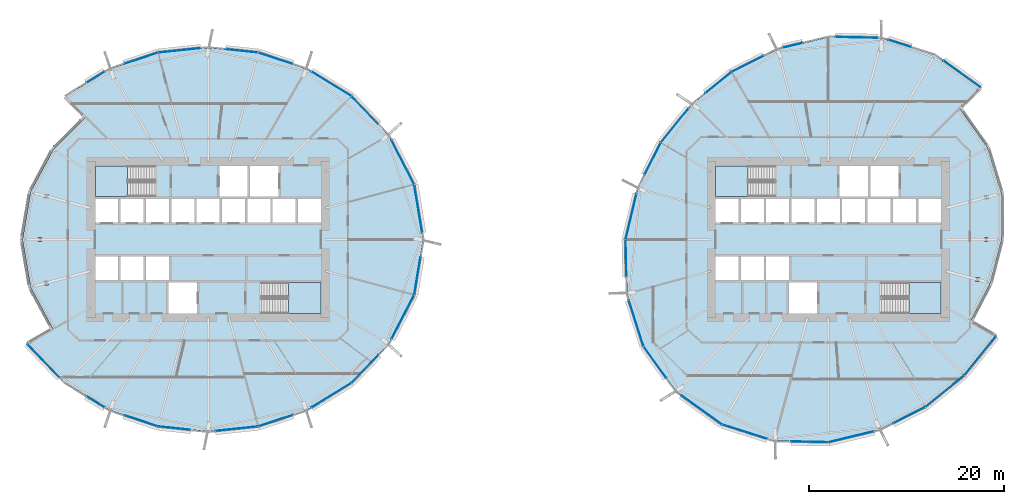
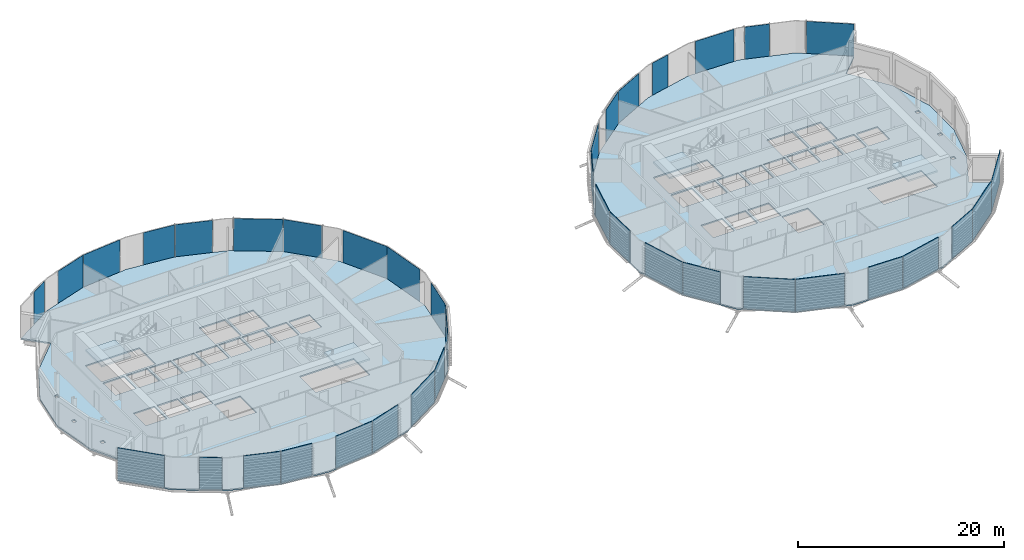
# One storey, part 18 of 36: 38 plates, 6 slabs, 6 elements without a shape of their own.
"""IFC4 building model written with IfcOpenShell, lengths in metres."""

from ifc_helpers import new_model, si_unit, direction, frame, origin, origin_2d, place, context, subcontext, project, spatial, polyline, rectangle, outline, extrude, material, layer, layer_set, type_object, element, aggregate, save


model = new_model("IFC4")

# Units and contexts
model_context = context("Model", 3, precision=1e-05, world=origin(), true_north=direction((0.0, 1.0)))
body_context = subcontext(model_context, "Body", "Model", "MODEL_VIEW")
ifc_project = project(units=[si_unit("LENGTHUNIT", "METRE"), si_unit("AREAUNIT", "SQUARE_METRE"), si_unit("VOLUMEUNIT", "CUBIC_METRE"), si_unit("PLANEANGLEUNIT", "RADIAN"), si_unit("MASSUNIT", "GRAM", prefix="KILO")], contexts=[model_context])

# Site, building, storey
site_placement = place(None, origin())
site = spatial("IfcSite", under=ifc_project, at=site_placement, CompositionType="ELEMENT")
building_placement = place(site_placement, origin())
building = spatial("IfcBuilding", under=site, at=building_placement, Name="Rimbun Link Towers", CompositionType="ELEMENT")
storey_placement = place(building_placement, frame((0.0, 0.0, 33.800048828125)))
storey = spatial("IfcBuildingStorey", under=building, at=storey_placement, Name="L07", CompositionType="ELEMENT", Elevation=33.800048828125)

# Slabs
ifc_material_1 = material(Name="Concrete C35/45", Category="concrete")
ifc_layer_1 = layer(ifc_material_1, 0.159912109375)
ifc_layer_set_1 = layer_set([ifc_layer_1], Name="COMPOSITE FLOOR 160")
slab_type_1 = type_object("IfcSlabType", Name="COMPOSITE FLOOR 160", PredefinedType="FLOOR", material=ifc_layer_set_1)
slab_1_placement = place(storey_placement, frame((0.0, 0.0, -0.16015625)))
element("IfcSlab", 1, at=slab_1_placement, inside=storey, type_object=slab_type_1, Name="Floor slab T1 L07", PredefinedType="FLOOR", context=body_context, shape_type="SweptSolid", body=[
    extrude(outline(polyline([(-41.836181640625, 17.469482421875), (-36.871826171875, 19.11474609375), (-31.75, 19.654296875), (-26.628173828125, 19.11474609375), (-21.663818359375, 17.469482421875), (-17.089111328125, 14.660888671875), (-13.26513671875, 10.672119140625), (-10.666259765625, 5.6494140625), (-9.7373046875, 0.0), (-10.666259765625, -5.6494140625), (-13.26513671875, -10.672119140625), (-17.089111328125, -14.660888671875), (-21.663818359375, -17.469482421875), (-26.628173828125, -19.11474609375), (-31.75, -19.654296875), (-36.871826171875, -19.11474609375), (-41.836181640625, -17.469482421875), (-46.410888671875, -14.660888671875), (-50.23486328125, -10.672119140625), (-47.63671875, -9.172119140625), (-49.935791015625, -4.872802734375), (-50.7626953125, 0.0), (-49.935791015625, 4.872802734375), (-47.63671875, 9.172119140625), (-44.28955078125, 12.53955078125), (-46.410888671875, 14.660888671875), (-41.836181640625, 17.469482421875)]), holes=[polyline([(-48.103759765625, -4.632080078125), (-48.103759765625, -4.238525390625), (-48.502685546875, -4.238525390625), (-48.502685546875, -4.632080078125), (-48.103759765625, -4.632080078125)]), polyline([(-40.95556640625, -4.14990234375), (-40.95556640625, -1.75), (-43.300048828125, -1.75), (-43.300048828125, -4.14990234375), (-40.95556640625, -4.14990234375)]), polyline([(-38.361083984375, -4.14990234375), (-38.361083984375, -1.75), (-40.70556640625, -1.75), (-40.70556640625, -4.14990234375), (-38.361083984375, -4.14990234375)]), polyline([(-38.111083984375, -4.14990234375), (-35.7666015625, -4.14990234375), (-35.7666015625, -1.75), (-38.111083984375, -1.75), (-38.111083984375, -4.14990234375)]), polyline([(-49.14501953125, -0.19677734375), (-48.74609375, -0.19677734375), (-48.74609375, 0.19677734375), (-49.14501953125, 0.19677734375), (-49.14501953125, -0.19677734375)]), polyline([(-40.95556640625, 1.75), (-40.95556640625, 4.14990234375), (-43.300048828125, 4.14990234375), (-43.300048828125, 1.75), (-40.95556640625, 1.75)]), polyline([(-38.361083984375, 1.75), (-38.361083984375, 4.14990234375), (-40.70556640625, 4.14990234375), (-40.70556640625, 1.75), (-38.361083984375, 1.75)]), polyline([(-35.7666015625, 1.75), (-35.7666015625, 4.14990234375), (-38.111083984375, 4.14990234375), (-38.111083984375, 1.75), (-35.7666015625, 1.75)]), polyline([(-48.502685546875, 4.238525390625), (-48.103759765625, 4.238525390625), (-48.103759765625, 4.632080078125), (-48.502685546875, 4.632080078125), (-48.502685546875, 4.238525390625)]), polyline([(-43.300048828125, 4.39990234375), (-37.260009765625, 4.39990234375), (-37.260009765625, 7.550048828125), (-43.300048828125, 7.550048828125), (-43.300048828125, 4.39990234375)]), polyline([(-32.89990234375, -7.550048828125), (-32.89990234375, -4.39990234375), (-35.800048828125, -4.39990234375), (-35.800048828125, -7.550048828125), (-32.89990234375, -7.550048828125)]), polyline([(-20.199951171875, -7.550048828125), (-20.199951171875, -4.39990234375), (-26.239990234375, -4.39990234375), (-26.239990234375, -7.550048828125), (-20.199951171875, -7.550048828125)]), polyline([(-33.172119140625, 1.75), (-33.172119140625, 4.14990234375), (-35.5166015625, 4.14990234375), (-35.5166015625, 1.75), (-33.172119140625, 1.75)]), polyline([(-32.922119140625, 1.75), (-30.577880859375, 1.75), (-30.577880859375, 4.14990234375), (-32.922119140625, 4.14990234375), (-32.922119140625, 1.75)]), polyline([(-30.327880859375, 1.75), (-27.9833984375, 1.75), (-27.9833984375, 4.14990234375), (-30.327880859375, 4.14990234375), (-30.327880859375, 1.75)]), polyline([(-25.388916015625, 1.75), (-25.388916015625, 4.14990234375), (-27.7333984375, 4.14990234375), (-27.7333984375, 1.75), (-25.388916015625, 1.75)]), polyline([(-22.79443359375, 1.75), (-22.79443359375, 4.14990234375), (-25.138916015625, 4.14990234375), (-25.138916015625, 1.75), (-22.79443359375, 1.75)]), polyline([(-20.199951171875, 1.75), (-20.199951171875, 4.14990234375), (-22.54443359375, 4.14990234375), (-22.54443359375, 1.75), (-20.199951171875, 1.75)]), polyline([(-30.60009765625, 4.39990234375), (-27.699951171875, 4.39990234375), (-27.699951171875, 7.550048828125), (-30.60009765625, 7.550048828125), (-30.60009765625, 4.39990234375)]), polyline([(-27.449951171875, 4.39990234375), (-24.550048828125, 4.39990234375), (-24.550048828125, 7.550048828125), (-27.449951171875, 7.550048828125), (-27.449951171875, 4.39990234375)])]), origin(), (0.0, 0.0, 1.0), 0.16015625),
])
slab_2_placement = place(storey_placement, frame((0.0, 0.0, -0.16015625)))
element("IfcSlab", 2, at=slab_2_placement, inside=storey, type_object=slab_type_1, Name="Floor slab T2 L07", PredefinedType="FLOOR", context=body_context, shape_type="SweptSolid", body=[
    extrude(outline(polyline([(45.647705078125, -13.897705078125), (41.64453125, -17.1376953125), (36.970947265625, -19.48486328125), (31.75, -20.7333984375), (26.2255859375, -20.6171875), (20.836181640625, -18.903076171875), (16.184814453125, -15.565185546875), (12.846923828125, -10.913818359375), (11.1328125, -5.5244140625), (11.0166015625, 0.0), (12.26513671875, 5.220947265625), (14.6123046875, 9.89453125), (17.852294921875, 13.897705078125), (21.85546875, 17.1376953125), (26.529052734375, 19.48486328125), (31.75, 20.7333984375), (37.2744140625, 20.6171875), (42.663818359375, 18.903076171875), (47.315185546875, 15.565185546875), (45.194091796875, 13.444091796875), (48.054931640625, 9.413818359375), (49.46923828125, 4.747802734375), (49.4833984375, 0.0), (48.337158203125, -4.444580078125), (46.289794921875, -8.39453125), (48.8876953125, -9.89453125), (45.647705078125, -13.897705078125)]), holes=[polyline([(30.60009765625, -7.550048828125), (30.60009765625, -4.39990234375), (27.699951171875, -4.39990234375), (27.699951171875, -7.550048828125), (30.60009765625, -7.550048828125)]), polyline([(22.54443359375, -4.14990234375), (22.54443359375, -1.75), (20.199951171875, -1.75), (20.199951171875, -4.14990234375), (22.54443359375, -4.14990234375)]), polyline([(25.138916015625, -4.14990234375), (25.138916015625, -1.75), (22.79443359375, -1.75), (22.79443359375, -4.14990234375), (25.138916015625, -4.14990234375)]), polyline([(25.388916015625, -4.14990234375), (27.7333984375, -4.14990234375), (27.7333984375, -1.75), (25.388916015625, -1.75), (25.388916015625, -4.14990234375)]), polyline([(20.199951171875, 1.75), (22.54443359375, 1.75), (22.54443359375, 4.14990234375), (20.199951171875, 4.14990234375), (20.199951171875, 1.75)]), polyline([(25.138916015625, 1.75), (25.138916015625, 4.14990234375), (22.79443359375, 4.14990234375), (22.79443359375, 1.75), (25.138916015625, 1.75)]), polyline([(27.7333984375, 1.75), (27.7333984375, 4.14990234375), (25.388916015625, 4.14990234375), (25.388916015625, 1.75), (27.7333984375, 1.75)]), polyline([(30.327880859375, 1.75), (30.327880859375, 4.14990234375), (27.9833984375, 4.14990234375), (27.9833984375, 1.75), (30.327880859375, 1.75)]), polyline([(30.577880859375, 1.75), (32.922119140625, 1.75), (32.922119140625, 4.14990234375), (30.577880859375, 4.14990234375), (30.577880859375, 1.75)]), polyline([(20.199951171875, 4.39990234375), (26.239990234375, 4.39990234375), (26.239990234375, 7.550048828125), (20.199951171875, 7.550048828125), (20.199951171875, 4.39990234375)]), polyline([(43.300048828125, -7.550048828125), (43.300048828125, -4.39990234375), (37.260009765625, -4.39990234375), (37.260009765625, -7.550048828125), (43.300048828125, -7.550048828125)]), polyline([(47.22412109375, -4.28955078125), (47.22412109375, -3.89599609375), (46.824951171875, -3.89599609375), (46.824951171875, -4.28955078125), (47.22412109375, -4.28955078125)]), polyline([(48.117431640625, -0.19677734375), (48.117431640625, 0.19677734375), (47.718505859375, 0.19677734375), (47.718505859375, -0.19677734375), (48.117431640625, -0.19677734375)]), polyline([(33.172119140625, 1.75), (35.5166015625, 1.75), (35.5166015625, 4.14990234375), (33.172119140625, 4.14990234375), (33.172119140625, 1.75)]), polyline([(35.7666015625, 1.75), (38.111083984375, 1.75), (38.111083984375, 4.14990234375), (35.7666015625, 4.14990234375), (35.7666015625, 1.75)]), polyline([(40.70556640625, 1.75), (40.70556640625, 4.14990234375), (38.361083984375, 4.14990234375), (38.361083984375, 1.75), (40.70556640625, 1.75)]), polyline([(43.300048828125, 1.75), (43.300048828125, 4.14990234375), (40.95556640625, 4.14990234375), (40.95556640625, 1.75), (43.300048828125, 1.75)]), polyline([(48.127685546875, 4.13818359375), (48.127685546875, 4.53173828125), (47.728759765625, 4.53173828125), (47.728759765625, 4.13818359375), (48.127685546875, 4.13818359375)]), polyline([(32.89990234375, 4.39990234375), (35.800048828125, 4.39990234375), (35.800048828125, 7.550048828125), (32.89990234375, 7.550048828125), (32.89990234375, 4.39990234375)]), polyline([(36.050048828125, 4.39990234375), (38.949951171875, 4.39990234375), (38.949951171875, 7.550048828125), (36.050048828125, 7.550048828125), (36.050048828125, 4.39990234375)])]), origin(), (0.0, 0.0, 1.0), 0.16015625),
])

# Curtain wall, plates
ifc_material_2 = material(Name="Aluminium 6063-T6 and low-iron glass", Category="aluminium")
curtain_wall_type = type_object("IfcCurtainWallType", Name="CW1 unitised vision wall", PredefinedType="NOTDEFINED", material=ifc_material_2)
curtain_wall_1_placement = place(storey_placement, origin())
curtain_wall_1 = element("IfcCurtainWall", 3, at=curtain_wall_1_placement, inside=storey, type_object=curtain_wall_type, Name="CW1 L07 T2", PredefinedType="NOTDEFINED")
ifc_material_3 = material(Name="Aluminium cladding, insulated panel", Category="aluminium")
ifc_layer_2 = layer(ifc_material_3, 0.028076171875)
ifc_layer_set_2 = layer_set([ifc_layer_2], Name="CW1 insulated panel Aluminium cladding 28")
plate_type_1 = type_object("IfcPlateType", Name="CW1 insulated panel Aluminium cladding 28", PredefinedType="CURTAIN_PANEL", material=ifc_layer_set_2)
plate_1_placement = place(storey_placement, frame((45.42431640625, 16.939453125, 0.0), z_axis=(0.0, 0.0, 1.0), x_axis=(0.812473502255, -0.58299812018, 0.0)))
plate_1 = element("IfcPlate", 4, at=plate_1_placement, type_object=plate_type_1, Name="CW1 insulated panel", PredefinedType="CURTAIN_PANEL", context=body_context, shape_type="SweptSolid", body=[
    extrude(rectangle(XDim=4.63525390625, YDim=0.028076171875, at=origin_2d()), origin(), (0.0, 0.0, 1.0), 3.800048828125),
])
plate_2_placement = place(storey_placement, frame((39.044189453125, 20.06884765625, 0.0), z_axis=(0.0, 0.0, 1.0), x_axis=(0.952967107147, -0.303073741351, 0.0)))
plate_2 = element("IfcPlate", 5, at=plate_2_placement, type_object=plate_type_1, Name="CW1 insulated panel", PredefinedType="CURTAIN_PANEL", context=body_context, shape_type="SweptSolid", body=[
    extrude(rectangle(XDim=2.46533203125, YDim=0.028076171875, at=origin_2d()), origin(), (0.0, 0.0, 1.0), 3.800048828125),
])

curtain_wall_2_placement = place(storey_placement, origin())
curtain_wall_2 = element("IfcCurtainWall", 6, at=curtain_wall_2_placement, inside=storey, type_object=curtain_wall_type, Name="CW1 L07 T1", PredefinedType="NOTDEFINED")
ifc_material_4 = material(Name="Low-iron glass, laminated low-e unit", Category="glass")
ifc_layer_3 = layer(ifc_material_4, 0.028076171875)
ifc_layer_set_3 = layer_set([ifc_layer_3], Name="CW1 panel Low-iron glass 28")
plate_type_2 = type_object("IfcPlateType", Name="CW1 panel Low-iron glass 28", PredefinedType="CURTAIN_PANEL", material=ifc_layer_set_3)
plate_3_placement = place(storey_placement, frame((-10.244873046875, 3.17236328125, 0.0), z_axis=(0.0, 0.0, 1.0), x_axis=(0.162262978927, -0.986747549108, 0.0)))
plate_3 = element("IfcPlate", 7, at=plate_3_placement, type_object=plate_type_2, Name="CW1 panel", PredefinedType="CURTAIN_PANEL", context=body_context, shape_type="SweptSolid", body=[
    extrude(rectangle(XDim=4.9853515625, YDim=0.028076171875, at=origin_2d()), origin(), (0.0, 0.0, 1.0), 3.800048828125),
])
plate_4_placement = place(storey_placement, frame((-11.826904296875, 7.923095703125, 0.0), z_axis=(0.0, 0.0, 1.0), x_axis=(0.459548466118, -0.888152693678, 0.0)))
plate_4 = element("IfcPlate", 8, at=plate_4_placement, type_object=plate_type_2, Name="CW1 panel", PredefinedType="CURTAIN_PANEL", context=body_context, shape_type="SweptSolid", body=[
    extrude(rectangle(XDim=5.0654296875, YDim=0.028076171875, at=origin_2d()), origin(), (0.0, 0.0, 1.0), 3.800048828125),
])
plate_5_placement = place(storey_placement, frame((-15.703369140625, 13.235595703125, 0.0), z_axis=(0.0, 0.0, 1.0), x_axis=(0.692055501744, -0.721844292424, 0.0)))
plate_5 = element("IfcPlate", 9, at=plate_5_placement, type_object=plate_type_2, Name="CW1 panel", PredefinedType="CURTAIN_PANEL", context=body_context, shape_type="SweptSolid", body=[
    extrude(rectangle(XDim=3.935546875, YDim=0.028076171875, at=origin_2d()), origin(), (0.0, 0.0, 1.0), 3.800048828125),
])
plate_6_placement = place(storey_placement, frame((-19.134765625, 15.933349609375, 0.0), z_axis=(0.0, 0.0, 1.0), x_axis=(0.85219002421, -0.523232417417, 0.0)))
plate_6 = element("IfcPlate", 10, at=plate_6_placement, type_object=plate_type_2, Name="CW1 panel", PredefinedType="CURTAIN_PANEL", context=body_context, shape_type="SweptSolid", body=[
    extrude(rectangle(XDim=4.778076171875, YDim=0.028076171875, at=origin_2d()), origin(), (0.0, 0.0, 1.0), 3.800048828125),
])
plate_7_placement = place(storey_placement, frame((-24.853515625, 18.541259765625, 0.0), z_axis=(0.0, 0.0, 1.0), x_axis=(0.949236355837, -0.314563730837, 0.0)))
plate_7 = element("IfcPlate", 11, at=plate_7_placement, type_object=plate_type_2, Name="CW1 panel", PredefinedType="CURTAIN_PANEL", context=body_context, shape_type="SweptSolid", body=[
    extrude(rectangle(XDim=3.689697265625, YDim=0.028076171875, at=origin_2d()), origin(), (0.0, 0.0, 1.0), 3.800048828125),
])
plate_8_placement = place(storey_placement, frame((-28.29248046875, 19.30419921875, 0.0), z_axis=(0.0, 0.0, 1.0), x_axis=(0.994498109267, -0.104754525743, 0.0)))
plate_8 = element("IfcPlate", 12, at=plate_8_placement, type_object=plate_type_2, Name="CW1 panel", PredefinedType="CURTAIN_PANEL", context=body_context, shape_type="SweptSolid", body=[
    extrude(rectangle(XDim=3.31005859375, YDim=0.028076171875, at=origin_2d()), origin(), (0.0, 0.0, 1.0), 3.800048828125),
])
plate_9_placement = place(storey_placement, frame((-34.685302734375, 19.359130859375, 0.0), z_axis=(0.0, 0.0, 1.0), x_axis=(0.994498109267, 0.104754525743, 0.0)))
plate_9 = element("IfcPlate", 13, at=plate_9_placement, type_object=plate_type_2, Name="CW1 panel", PredefinedType="CURTAIN_PANEL", context=body_context, shape_type="SweptSolid", body=[
    extrude(rectangle(XDim=4.360107421875, YDim=0.028076171875, at=origin_2d()), origin(), (0.0, 0.0, 1.0), 3.800048828125),
])
plate_10_placement = place(storey_placement, frame((-38.622802734375, 18.54931640625, 0.0), z_axis=(0.0, 0.0, 1.0), x_axis=(0.949236355837, 0.314563730837, 0.0)))
plate_10 = element("IfcPlate", 14, at=plate_10_placement, type_object=plate_type_2, Name="CW1 panel", PredefinedType="CURTAIN_PANEL", context=body_context, shape_type="SweptSolid", body=[
    extrude(rectangle(XDim=3.639892578125, YDim=0.028076171875, at=origin_2d()), origin(), (0.0, 0.0, 1.0), 3.800048828125),
])
plate_11_placement = place(storey_placement, frame((-43.25732421875, 16.613525390625, 0.0), z_axis=(0.0, 0.0, 1.0), x_axis=(0.85219002421, 0.523232417417, 0.0)))
plate_11 = element("IfcPlate", 15, at=plate_11_placement, type_object=plate_type_2, Name="CW1 panel", PredefinedType="CURTAIN_PANEL", context=body_context, shape_type="SweptSolid", body=[
    extrude(rectangle(XDim=2.17822265625, YDim=0.028076171875, at=origin_2d()), origin(), (0.0, 0.0, 1.0), 3.800048828125),
])
plate_12_placement = place(storey_placement, frame((-48.592529296875, -12.405517578125, 0.0), z_axis=(0.0, 0.0, 1.0), x_axis=(-0.692055501744, 0.721844292424, 0.0)))
plate_12 = element("IfcPlate", 16, at=plate_12_placement, type_object=plate_type_2, Name="CW1 panel", PredefinedType="CURTAIN_PANEL", context=body_context, shape_type="SweptSolid", body=[
    extrude(rectangle(XDim=4.735595703125, YDim=0.028076171875, at=origin_2d()), origin(), (0.0, 0.0, 1.0), 3.800048828125),
])
plate_13_placement = place(storey_placement, frame((-43.25732421875, -16.613525390625, 0.0), z_axis=(0.0, 0.0, 1.0), x_axis=(-0.85219002421, 0.523232417417, 0.0)))
plate_13 = element("IfcPlate", 17, at=plate_13_placement, type_object=plate_type_2, Name="CW1 panel", PredefinedType="CURTAIN_PANEL", context=body_context, shape_type="SweptSolid", body=[
    extrude(rectangle(XDim=2.17822265625, YDim=0.028076171875, at=origin_2d()), origin(), (0.0, 0.0, 1.0), 3.800048828125),
])
plate_14_placement = place(storey_placement, frame((-38.622802734375, -18.54931640625, 0.0), z_axis=(0.0, 0.0, 1.0), x_axis=(-0.949236355837, 0.314563730837, 0.0)))
plate_14 = element("IfcPlate", 18, at=plate_14_placement, type_object=plate_type_2, Name="CW1 panel", PredefinedType="CURTAIN_PANEL", context=body_context, shape_type="SweptSolid", body=[
    extrude(rectangle(XDim=3.639892578125, YDim=0.028076171875, at=origin_2d()), origin(), (0.0, 0.0, 1.0), 3.800048828125),
])
plate_15_placement = place(storey_placement, frame((-35.20751953125, -19.30419921875, 0.0), z_axis=(0.0, 0.0, 1.0), x_axis=(-0.994498109267, 0.104754525743, 0.0)))
plate_15 = element("IfcPlate", 19, at=plate_15_placement, type_object=plate_type_2, Name="CW1 panel", PredefinedType="CURTAIN_PANEL", context=body_context, shape_type="SweptSolid", body=[
    extrude(rectangle(XDim=3.31005859375, YDim=0.028076171875, at=origin_2d()), origin(), (0.0, 0.0, 1.0), 3.800048828125),
])
plate_16_placement = place(storey_placement, frame((-28.814697265625, -19.359130859375, 0.0), z_axis=(0.0, 0.0, 1.0), x_axis=(-0.994498109267, -0.104754525743, 0.0)))
plate_16 = element("IfcPlate", 20, at=plate_16_placement, type_object=plate_type_2, Name="CW1 panel", PredefinedType="CURTAIN_PANEL", context=body_context, shape_type="SweptSolid", body=[
    extrude(rectangle(XDim=4.360107421875, YDim=0.028076171875, at=origin_2d()), origin(), (0.0, 0.0, 1.0), 3.800048828125),
])
plate_17_placement = place(storey_placement, frame((-24.853515625, -18.541259765625, 0.0), z_axis=(0.0, 0.0, 1.0), x_axis=(-0.949236355837, -0.314563730837, 0.0)))
plate_17 = element("IfcPlate", 21, at=plate_17_placement, type_object=plate_type_2, Name="CW1 panel", PredefinedType="CURTAIN_PANEL", context=body_context, shape_type="SweptSolid", body=[
    extrude(rectangle(XDim=3.689697265625, YDim=0.028076171875, at=origin_2d()), origin(), (0.0, 0.0, 1.0), 3.800048828125),
])
plate_18_placement = place(storey_placement, frame((-19.134765625, -15.933349609375, 0.0), z_axis=(0.0, 0.0, 1.0), x_axis=(-0.85219002421, -0.523232417417, 0.0)))
plate_18 = element("IfcPlate", 22, at=plate_18_placement, type_object=plate_type_2, Name="CW1 panel", PredefinedType="CURTAIN_PANEL", context=body_context, shape_type="SweptSolid", body=[
    extrude(rectangle(XDim=4.778076171875, YDim=0.028076171875, at=origin_2d()), origin(), (0.0, 0.0, 1.0), 3.800048828125),
])
plate_19_placement = place(storey_placement, frame((-15.703369140625, -13.235595703125, 0.0), z_axis=(0.0, 0.0, 1.0), x_axis=(-0.692055501744, -0.721844292424, 0.0)))
plate_19 = element("IfcPlate", 23, at=plate_19_placement, type_object=plate_type_2, Name="CW1 panel", PredefinedType="CURTAIN_PANEL", context=body_context, shape_type="SweptSolid", body=[
    extrude(rectangle(XDim=3.935546875, YDim=0.028076171875, at=origin_2d()), origin(), (0.0, 0.0, 1.0), 3.800048828125),
])
plate_20_placement = place(storey_placement, frame((-11.826904296875, -7.923095703125, 0.0), z_axis=(0.0, 0.0, 1.0), x_axis=(-0.459548466118, -0.888152693678, 0.0)))
plate_20 = element("IfcPlate", 24, at=plate_20_placement, type_object=plate_type_2, Name="CW1 panel", PredefinedType="CURTAIN_PANEL", context=body_context, shape_type="SweptSolid", body=[
    extrude(rectangle(XDim=5.0654296875, YDim=0.028076171875, at=origin_2d()), origin(), (0.0, 0.0, 1.0), 3.800048828125),
])
plate_21_placement = place(storey_placement, frame((-10.333984375, -3.715087890625, 0.0), z_axis=(0.0, 0.0, 1.0), x_axis=(-0.162262978927, -0.986747549108, 0.0)))
plate_21 = element("IfcPlate", 25, at=plate_21_placement, type_object=plate_type_2, Name="CW1 panel", PredefinedType="CURTAIN_PANEL", context=body_context, shape_type="SweptSolid", body=[
    extrude(rectangle(XDim=3.88525390625, YDim=0.028076171875, at=origin_2d()), origin(), (0.0, 0.0, 1.0), 3.800048828125),
])
aggregate(curtain_wall_2, [plate_3, plate_4, plate_5, plate_6, plate_7, plate_8, plate_9, plate_10, plate_11, plate_12, plate_13, plate_14, plate_15, plate_16, plate_17, plate_18, plate_19, plate_20, plate_21])

# Plate
plate_22_placement = place(storey_placement, frame((34.662353515625, 20.68603515625, 0.0), z_axis=(0.0, 0.0, 1.0), x_axis=(0.999778089999, -0.021065867113, 0.0)))
plate_22 = element("IfcPlate", 26, at=plate_22_placement, type_object=plate_type_2, Name="CW1 panel", PredefinedType="CURTAIN_PANEL", context=body_context, shape_type="SweptSolid", body=[
    extrude(rectangle(XDim=4.28564453125, YDim=0.028076171875, at=origin_2d()), origin(), (0.0, 0.0, 1.0), 3.800048828125),
])

plate_23_placement = place(storey_placement, frame((28.0908203125, 19.872802734375, 0.0), z_axis=(0.0, 0.0, 1.0), x_axis=(0.972569455913, 0.23261266824, 0.0)))
plate_23 = element("IfcPlate", 27, at=plate_23_placement, type_object=plate_type_2, Name="CW1 panel", PredefinedType="CURTAIN_PANEL", context=body_context, shape_type="SweptSolid", body=[
    extrude(rectangle(XDim=2.078125, YDim=0.028076171875, at=origin_2d()), origin(), (0.0, 0.0, 1.0), 3.800048828125),
])

plate_24_placement = place(storey_placement, frame((23.493408203125, 17.97607421875, 0.0), z_axis=(0.0, 0.0, 1.0), x_axis=(0.893645687489, 0.448773200217, 0.0)))
plate_24 = element("IfcPlate", 28, at=plate_24_placement, type_object=plate_type_2, Name="CW1 panel", PredefinedType="CURTAIN_PANEL", context=body_context, shape_type="SweptSolid", body=[
    extrude(rectangle(XDim=3.639892578125, YDim=0.028076171875, at=origin_2d()), origin(), (0.0, 0.0, 1.0), 3.800048828125),
])

plate_25_placement = place(storey_placement, frame((20.505859375, 16.0634765625, 0.0), z_axis=(0.0, 0.0, 1.0), x_axis=(0.777283304345, 0.629150748856, 0.0)))
plate_25 = element("IfcPlate", 29, at=plate_25_placement, type_object=plate_type_2, Name="CW1 panel", PredefinedType="CURTAIN_PANEL", context=body_context, shape_type="SweptSolid", body=[
    extrude(rectangle(XDim=3.41015625, YDim=0.028076171875, at=origin_2d()), origin(), (0.0, 0.0, 1.0), 3.800048828125),
])

plate_26_placement = place(storey_placement, frame((16.03271484375, 11.671630859375, 0.0), z_axis=(0.0, 0.0, 1.0), x_axis=(0.629150748856, 0.777283304345, 0.0)))
plate_26 = element("IfcPlate", 30, at=plate_26_placement, type_object=plate_type_2, Name="CW1 panel", PredefinedType="CURTAIN_PANEL", context=body_context, shape_type="SweptSolid", body=[
    extrude(rectangle(XDim=4.510009765625, YDim=0.028076171875, at=origin_2d()), origin(), (0.0, 0.0, 1.0), 3.800048828125),
])

plate_27_placement = place(storey_placement, frame((13.77392578125, 8.256591796875, 0.0), z_axis=(0.0, 0.0, 1.0), x_axis=(0.448773200217, 0.893645687489, 0.0)))
plate_27 = element("IfcPlate", 31, at=plate_27_placement, type_object=plate_type_2, Name="CW1 panel", PredefinedType="CURTAIN_PANEL", context=body_context, shape_type="SweptSolid", body=[
    extrude(rectangle(XDim=3.639892578125, YDim=0.028076171875, at=origin_2d()), origin(), (0.0, 0.0, 1.0), 3.800048828125),
])

plate_28_placement = place(storey_placement, frame((11.563232421875, 2.34619140625, 0.0), z_axis=(0.0, 0.0, 1.0), x_axis=(0.23261266824, 0.972569455913, 0.0)))
plate_28 = element("IfcPlate", 32, at=plate_28_placement, type_object=plate_type_2, Name="CW1 panel", PredefinedType="CURTAIN_PANEL", context=body_context, shape_type="SweptSolid", body=[
    extrude(rectangle(XDim=4.778076171875, YDim=0.028076171875, at=origin_2d()), origin(), (0.0, 0.0, 1.0), 3.800048828125),
])

plate_29_placement = place(storey_placement, frame((11.042724609375, -1.91259765625, 0.0), z_axis=(0.0, 0.0, 1.0), x_axis=(-0.021065867113, 0.999778089999, 0.0)))
plate_29 = element("IfcPlate", 33, at=plate_29_placement, type_object=plate_type_2, Name="CW1 panel", PredefinedType="CURTAIN_PANEL", context=body_context, shape_type="SweptSolid", body=[
    extrude(rectangle(XDim=3.78564453125, YDim=0.028076171875, at=origin_2d()), origin(), (0.0, 0.0, 1.0), 3.800048828125),
])

plate_30_placement = place(storey_placement, frame((12.08251953125, -8.556884765625, 0.0), z_axis=(0.0, 0.0, 1.0), x_axis=(-0.303073741351, 0.952967107147, 0.0)))
plate_30 = element("IfcPlate", 34, at=plate_30_placement, type_object=plate_type_2, Name="CW1 panel", PredefinedType="CURTAIN_PANEL", context=body_context, shape_type="SweptSolid", body=[
    extrude(rectangle(XDim=4.915283203125, YDim=0.028076171875, at=origin_2d()), origin(), (0.0, 0.0, 1.0), 3.800048828125),
])

plate_31_placement = place(storey_placement, frame((14.0087890625, -12.55712890625, 0.0), z_axis=(0.0, 0.0, 1.0), x_axis=(-0.58299812018, 0.812473502255, 0.0)))
plate_31 = element("IfcPlate", 35, at=plate_31_placement, type_object=plate_type_2, Name="CW1 panel", PredefinedType="CURTAIN_PANEL", context=body_context, shape_type="SweptSolid", body=[
    extrude(rectangle(XDim=3.9853515625, YDim=0.028076171875, at=origin_2d()), origin(), (0.0, 0.0, 1.0), 3.800048828125),
])

plate_32_placement = place(storey_placement, frame((18.766357421875, -17.43505859375, 0.0), z_axis=(0.0, 0.0, 1.0), x_axis=(-0.812473502255, 0.58299812018, 0.0)))
plate_32 = element("IfcPlate", 36, at=plate_32_placement, type_object=plate_type_2, Name="CW1 panel", PredefinedType="CURTAIN_PANEL", context=body_context, shape_type="SweptSolid", body=[
    extrude(rectangle(XDim=5.03515625, YDim=0.028076171875, at=origin_2d()), origin(), (0.0, 0.0, 1.0), 3.800048828125),
])

plate_33_placement = place(storey_placement, frame((23.16943359375, -19.65966796875, 0.0), z_axis=(0.0, 0.0, 1.0), x_axis=(-0.952967107147, 0.303073741351, 0.0)))
plate_33 = element("IfcPlate", 37, at=plate_33_placement, type_object=plate_type_2, Name="CW1 panel", PredefinedType="CURTAIN_PANEL", context=body_context, shape_type="SweptSolid", body=[
    extrude(rectangle(XDim=4.865478515625, YDim=0.028076171875, at=origin_2d()), origin(), (0.0, 0.0, 1.0), 3.800048828125),
])

plate_34_placement = place(storey_placement, frame((29.83740234375, -20.707275390625, 0.0), z_axis=(0.0, 0.0, 1.0), x_axis=(-0.999778089999, 0.021065867113, 0.0)))
plate_34 = element("IfcPlate", 38, at=plate_34_placement, type_object=plate_type_2, Name="CW1 panel", PredefinedType="CURTAIN_PANEL", context=body_context, shape_type="SweptSolid", body=[
    extrude(rectangle(XDim=3.78564453125, YDim=0.028076171875, at=origin_2d()), origin(), (0.0, 0.0, 1.0), 3.800048828125),
])

plate_35_placement = place(storey_placement, frame((34.09619140625, -20.186767578125, 0.0), z_axis=(0.0, 0.0, 1.0), x_axis=(-0.972569455913, -0.23261266824, 0.0)))
plate_35 = element("IfcPlate", 39, at=plate_35_placement, type_object=plate_type_2, Name="CW1 panel", PredefinedType="CURTAIN_PANEL", context=body_context, shape_type="SweptSolid", body=[
    extrude(rectangle(XDim=4.778076171875, YDim=0.028076171875, at=origin_2d()), origin(), (0.0, 0.0, 1.0), 3.800048828125),
])

plate_36_placement = place(storey_placement, frame((40.006591796875, -17.97607421875, 0.0), z_axis=(0.0, 0.0, 1.0), x_axis=(-0.893645687489, -0.448773200217, 0.0)))
plate_36 = element("IfcPlate", 40, at=plate_36_placement, type_object=plate_type_2, Name="CW1 panel", PredefinedType="CURTAIN_PANEL", context=body_context, shape_type="SweptSolid", body=[
    extrude(rectangle(XDim=3.639892578125, YDim=0.028076171875, at=origin_2d()), origin(), (0.0, 0.0, 1.0), 3.800048828125),
])

plate_37_placement = place(storey_placement, frame((43.65478515625, -15.528564453125, 0.0), z_axis=(0.0, 0.0, 1.0), x_axis=(-0.777283304345, -0.629150748856, 0.0)))
plate_37 = element("IfcPlate", 41, at=plate_37_placement, type_object=plate_type_2, Name="CW1 panel", PredefinedType="CURTAIN_PANEL", context=body_context, shape_type="SweptSolid", body=[
    extrude(rectangle(XDim=5.110107421875, YDim=0.028076171875, at=origin_2d()), origin(), (0.0, 0.0, 1.0), 3.800048828125),
])

plate_38_placement = place(storey_placement, frame((47.278564453125, -11.90478515625, 0.0), z_axis=(0.0, 0.0, 1.0), x_axis=(-0.629150748856, -0.777283304345, 0.0)))
plate_38 = element("IfcPlate", 42, at=plate_38_placement, type_object=plate_type_2, Name="CW1 panel", PredefinedType="CURTAIN_PANEL", context=body_context, shape_type="SweptSolid", body=[
    extrude(rectangle(XDim=5.110107421875, YDim=0.028076171875, at=origin_2d()), origin(), (0.0, 0.0, 1.0), 3.800048828125),
])

aggregate(curtain_wall_1, [plate_1, plate_2, plate_22, plate_23, plate_24, plate_25, plate_26, plate_27, plate_28, plate_29, plate_30, plate_31, plate_32, plate_33, plate_34, plate_35, plate_36, plate_37, plate_38])

# Stair, slab
ifc_material_5 = material(Name="Concrete C40/50", Category="concrete")
stair_type = type_object("IfcStairType", Name="Exit stair 3800 rise", PredefinedType="HALF_TURN_STAIR", material=ifc_material_5)
stair_1_placement = place(storey_placement, origin())
stair_1 = element("IfcStair", 43, at=stair_1_placement, inside=storey, type_object=stair_type, Name="L07 EXIT STAIR A", PredefinedType="HALF_TURN_STAIR")
ifc_material_6 = material(Name="Concrete C40/50", Category="concrete")
ifc_layer_4 = layer(ifc_material_6, 0.199951171875)
ifc_layer_set_4 = layer_set([ifc_layer_4], Name="Stair landing")
slab_type_2 = type_object("IfcSlabType", Name="Stair landing", PredefinedType="LANDING", material=ifc_layer_set_4)
slab_3_placement = place(storey_placement, frame((0.0, 0.0, 1.699951171875)))
slab_3 = element("IfcSlab", 44, at=slab_3_placement, type_object=slab_type_2, Name="ST1 landing 1", PredefinedType="LANDING", context=body_context, shape_type="SweptSolid", body=[
    extrude(outline(polyline([(-40.0, 7.550048828125), (-43.300048828125, 7.550048828125), (-43.300048828125, 4.39990234375), (-40.0, 4.39990234375), (-40.0, 7.550048828125)])), origin(), (0.0, 0.0, 1.0), 0.199951171875),
])
aggregate(stair_1, [slab_3])

stair_2_placement = place(storey_placement, origin())
stair_2 = element("IfcStair", 45, at=stair_2_placement, inside=storey, type_object=stair_type, Name="L07 EXIT STAIR B", PredefinedType="HALF_TURN_STAIR")
slab_4_placement = place(storey_placement, frame((0.0, 0.0, 1.699951171875)))
slab_4 = element("IfcSlab", 46, at=slab_4_placement, type_object=slab_type_2, Name="ST2 landing 1", PredefinedType="LANDING", context=body_context, shape_type="SweptSolid", body=[
    extrude(outline(polyline([(-23.5, -7.550048828125), (-20.199951171875, -7.550048828125), (-20.199951171875, -4.39990234375), (-23.5, -4.39990234375), (-23.5, -7.550048828125)])), origin(), (0.0, 0.0, 1.0), 0.199951171875),
])
aggregate(stair_2, [slab_4])

stair_3_placement = place(storey_placement, origin())
stair_3 = element("IfcStair", 47, at=stair_3_placement, inside=storey, type_object=stair_type, Name="L07 EXIT STAIR A", PredefinedType="HALF_TURN_STAIR")
slab_5_placement = place(storey_placement, frame((0.0, 0.0, 1.699951171875)))
slab_5 = element("IfcSlab", 48, at=slab_5_placement, type_object=slab_type_2, Name="ST3 landing 1", PredefinedType="LANDING", context=body_context, shape_type="SweptSolid", body=[
    extrude(outline(polyline([(23.5, 7.550048828125), (20.199951171875, 7.550048828125), (20.199951171875, 4.39990234375), (23.5, 4.39990234375), (23.5, 7.550048828125)])), origin(), (0.0, 0.0, 1.0), 0.199951171875),
])
aggregate(stair_3, [slab_5])

stair_4_placement = place(storey_placement, origin())
stair_4 = element("IfcStair", 49, at=stair_4_placement, inside=storey, type_object=stair_type, Name="L07 EXIT STAIR B", PredefinedType="HALF_TURN_STAIR")
slab_6_placement = place(storey_placement, frame((0.0, 0.0, 1.699951171875)))
slab_6 = element("IfcSlab", 50, at=slab_6_placement, type_object=slab_type_2, Name="ST4 landing 1", PredefinedType="LANDING", context=body_context, shape_type="SweptSolid", body=[
    extrude(outline(polyline([(40.0, -7.550048828125), (43.300048828125, -7.550048828125), (43.300048828125, -4.39990234375), (40.0, -4.39990234375), (40.0, -7.550048828125)])), origin(), (0.0, 0.0, 1.0), 0.199951171875),
])
aggregate(stair_4, [slab_6])

save(model, "model.ifc")
